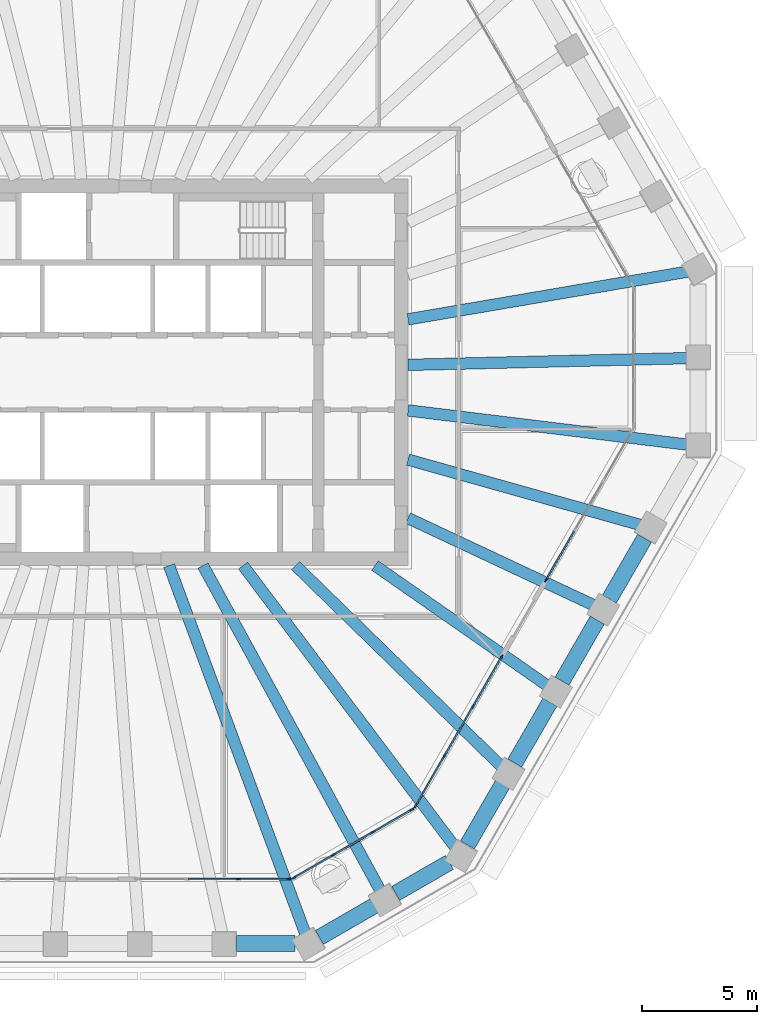
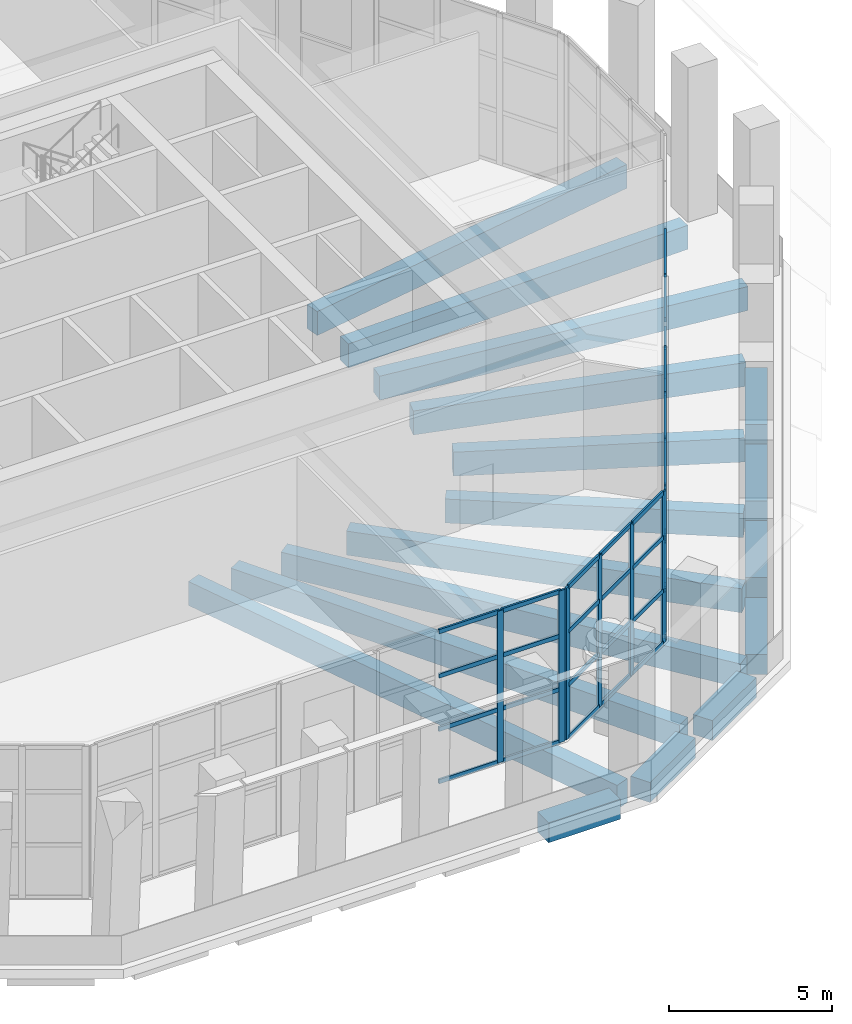
# One storey, part 4 of 19: 47 members, 17 beams, 4 elements without a shape of their own.
"""IFC4 building model written with IfcOpenShell, lengths in metres."""

import ifcopenshell
import ifcopenshell.guid

model = None  # the IFC model being written
_history = None  # IfcOwnerHistory: only IFC2X3 demands one
_inside = {}  # id of a spatial element -> (the spatial element, [elements in it])
_under = {}  # id of a project, library or spatial element -> (it, [spatial elements below it])
_declared = {}  # id of a project -> (the project, [libraries it declares])
_typed = {}  # id of a type object -> (the type object, [elements of that type])
_made_of = {}  # id of a material, layer set ... -> (it, [elements and type objects made of it])


def new_model(schema):
    """Start an empty IFC model of exactly this schema.

    Asked for "IFC4X3", IfcOpenShell would pick the latest addendum, in which some entities
    have other attributes; the version numbers below select the first issue.
    IFC2X3 requires an IfcOwnerHistory on every rooted entity: one is made here for all.
    """
    global model, _history
    if schema == "IFC4X3":
        model = ifcopenshell.file(schema_version=(4, 3, 0, 0))
    else:
        model = ifcopenshell.file(schema=schema)
    _inside.clear()
    _under.clear()
    _declared.clear()
    _typed.clear()
    _made_of.clear()
    _history = None
    if model.schema == "IFC2X3":
        org = make("IfcOrganization", Name="unknown")
        user = make(
            "IfcPersonAndOrganization",
            ThePerson=make("IfcPerson", FamilyName="unknown"),
            TheOrganization=org,
        )
        app = make(
            "IfcApplication",
            ApplicationDeveloper=org,
            Version="unknown",
            ApplicationFullName="unknown",
            ApplicationIdentifier="unknown",
        )
        _history = make(
            "IfcOwnerHistory",
            OwningUser=user,
            OwningApplication=app,
            ChangeAction="ADDED",
            CreationDate=0,
        )
    return model


def make(cls, **values):
    """One entity of the class cls with the attributes given. An attribute that is None is left unset."""
    return model.create_entity(
        cls, **{name: value for name, value in values.items() if value is not None}
    )


def rooted(cls, **values):
    """An entity with a GlobalId (a new one), such as an element, a storey or a relation."""
    return make(cls, GlobalId=ifcopenshell.guid.new(), OwnerHistory=_history, **values)


def si_unit(unit_type, name, prefix=None):
    """IfcSIUnit, for example si_unit("LENGTHUNIT", "METRE", prefix="MILLI")."""
    return make("IfcSIUnit", UnitType=unit_type, Prefix=prefix, Name=name)


def assignment(units):
    """IfcUnitAssignment: the units of a project."""
    return None if units is None else make("IfcUnitAssignment", Units=units)


def point(xyz):
    """IfcCartesianPoint."""
    return None if xyz is None else make("IfcCartesianPoint", Coordinates=xyz)


def direction(xyz):
    """IfcDirection."""
    return None if xyz is None else make("IfcDirection", DirectionRatios=xyz)


def frame(location, z_axis=None, x_axis=None):
    """IfcAxis2Placement3D, a coordinate frame: its origin and axes. An axis left out is left unset."""
    return make(
        "IfcAxis2Placement3D",
        Location=point(location),
        Axis=direction(z_axis),
        RefDirection=direction(x_axis),
    )


def frame_2d(location, x_axis=None):
    """IfcAxis2Placement2D, a coordinate frame in the plane: its origin and x axis."""
    return make(
        "IfcAxis2Placement2D", Location=point(location), RefDirection=direction(x_axis)
    )


def origin():
    """The frame at (0, 0, 0) with its axes left unset."""
    return frame((0.0, 0.0, 0.0))


def origin_2d():
    """The frame at (0, 0) in the plane with its x axis left unset."""
    return frame_2d((0.0, 0.0))


def place(relative_to, where):
    """IfcLocalPlacement: puts the frame where relative to a parent placement (None: the world)."""
    return make(
        "IfcLocalPlacement", PlacementRelTo=relative_to, RelativePlacement=where
    )


def context(
    kind, dimensions, precision=None, world=None, true_north=None, identifier=None
):
    """IfcGeometricRepresentationContext, for example the 3D "Model" context."""
    return make(
        "IfcGeometricRepresentationContext",
        ContextIdentifier=identifier,
        ContextType=kind,
        CoordinateSpaceDimension=dimensions,
        Precision=precision,
        WorldCoordinateSystem=world,
        TrueNorth=true_north,
    )


def subcontext(parent, identifier, kind, view, scale=None):
    """IfcGeometricRepresentationSubContext, for example "Body" below "Model"."""
    return make(
        "IfcGeometricRepresentationSubContext",
        ContextIdentifier=identifier,
        ContextType=kind,
        ParentContext=parent,
        TargetScale=scale,
        TargetView=view,
    )


def project(units=None, contexts=None):
    """IfcProject with its units and contexts."""
    return rooted(
        "IfcProject",
        Name="project",
        RepresentationContexts=contexts,
        UnitsInContext=assignment(units),
    )


def spatial(cls, under=None, at=None, **own):
    """A site, building, storey or space (cls), placed at a placement, below another one or the project."""
    s = rooted(cls, ObjectPlacement=at, **own)
    if under is not None:
        _under.setdefault(under.id(), (under, []))[1].append(s)
    return s


def profile(cls, at=None, kind="AREA", **sizes):
    """A parametric profile (cls). Its sizes go by their IFC names, for example OverallWidth=200.0."""
    return make(cls, ProfileType=kind, Position=at, **sizes)


def rectangle(**sizes):
    """IfcRectangleProfileDef."""
    return profile("IfcRectangleProfileDef", **sizes)


def extrude(swept, where, along, depth):
    """IfcExtrudedAreaSolid: the profile swept, set in the frame where, extruded along a direction by depth."""
    return make(
        "IfcExtrudedAreaSolid",
        SweptArea=swept,
        Position=where,
        ExtrudedDirection=direction(along),
        Depth=depth,
    )


def shape(context_of_items, identifier, shape_type, items):
    """IfcShapeRepresentation: the items that make up one representation, for example the "Body"."""
    return make(
        "IfcShapeRepresentation",
        ContextOfItems=context_of_items,
        RepresentationIdentifier=identifier,
        RepresentationType=shape_type,
        Items=items,
    )


def material(Name=None, Category=None):
    """IfcMaterial."""
    return make("IfcMaterial", Name=Name, Category=Category)


def material_profile(
    of_material, cross_section, Name=None, Category=None, Priority=None
):
    """IfcMaterialProfile: a cross section and its material."""
    return make(
        "IfcMaterialProfile",
        Name=Name,
        Material=of_material,
        Profile=cross_section,
        Priority=Priority,
        Category=Category,
    )


def profile_set(profiles, Name=None, composite=None):
    """IfcMaterialProfileSet."""
    return make(
        "IfcMaterialProfileSet",
        Name=Name,
        MaterialProfiles=profiles,
        CompositeProfile=composite,
    )


def made_of(thing, what):
    """Note that an element or type object is made of a material, layer set ...; save() writes the relation."""
    if what is not None:
        _made_of.setdefault(what.id(), (what, []))[1].append(thing)
    return thing


def type_object(cls, material=None, **own):
    """A type object (cls), such as IfcWallType, which elements share."""
    return made_of(rooted(cls, **own), material)


def element(
    cls,
    number,
    at=None,
    inside=None,
    cuts=None,
    type_object=None,
    material=None,
    context=None,
    identifier="Body",
    shape_type=None,
    held_by="IfcProductDefinitionShape",
    body=None,
    shapes=None,
    **own,
):
    """One element of the class cls, such as IfcWall. Its Tag is "e" and its number.

    at: its placement. inside: the storey or other place that contains it. cuts: it is an
    opening in that element (IfcRelVoidsElement). A single representation is given by context,
    identifier, shape_type and body (its items); several are given by shapes. held_by: the class
    of the entity that holds the representations. save() writes the other relations.
    """
    e = rooted(cls, Tag="e%d" % number, ObjectPlacement=at, **own)
    if body is not None:
        shapes = [shape(context, identifier, shape_type, body)]
    if shapes is not None:
        e.Representation = make(held_by, Representations=shapes)
    if inside is not None:
        _inside.setdefault(inside.id(), (inside, []))[1].append(e)
    if cuts is not None:
        rooted(
            "IfcRelVoidsElement", RelatingBuildingElement=cuts, RelatedOpeningElement=e
        )
    if type_object is not None:
        _typed.setdefault(type_object.id(), (type_object, []))[1].append(e)
    return made_of(e, material)


def aggregate(whole, parts):
    """IfcRelAggregates: a whole, such as a stair, and the parts it consists of."""
    return rooted("IfcRelAggregates", RelatingObject=whole, RelatedObjects=parts)


def save(model, path):
    """Write the relations noted so far, then the file.

    IfcRelAggregates (storeys below a building ...), IfcRelContainedInSpatialStructure (elements
    in a storey), IfcRelDefinesByType, IfcRelAssociatesMaterial and IfcRelDeclares: one each for
    every whole, place, type object, material and project.
    """
    for whole, parts in _under.values():
        aggregate(whole, parts)
    for where, things in _inside.values():
        rooted(
            "IfcRelContainedInSpatialStructure",
            RelatedElements=things,
            RelatingStructure=where,
        )
    for kind, things in _typed.values():
        rooted("IfcRelDefinesByType", RelatedObjects=things, RelatingType=kind)
    for what, things in _made_of.values():
        rooted("IfcRelAssociatesMaterial", RelatedObjects=things, RelatingMaterial=what)
    for by, libraries in _declared.values():
        rooted("IfcRelDeclares", RelatingContext=by, RelatedDefinitions=libraries)
    model.write(path)


model = new_model("IFC4")

# Units and contexts
model_context = context("Model", 3, precision=1e-05, world=origin(), true_north=direction((0.0, 1.0)))
body_context = subcontext(model_context, "Body", "Model", "MODEL_VIEW")
ifc_project = project(units=[si_unit("LENGTHUNIT", "METRE"), si_unit("AREAUNIT", "SQUARE_METRE"), si_unit("VOLUMEUNIT", "CUBIC_METRE"), si_unit("PLANEANGLEUNIT", "RADIAN"), si_unit("MASSUNIT", "GRAM", prefix="KILO")], contexts=[model_context])

# Site, building, storey
site_placement = place(None, origin())
site = spatial("IfcSite", under=ifc_project, at=site_placement, CompositionType="ELEMENT")
building_placement = place(site_placement, origin())
building = spatial("IfcBuilding", under=site, at=building_placement, Name="Frailejon Research Tower", CompositionType="ELEMENT")
storey_placement = place(building_placement, frame((0.0, 0.0, 231.39990234375)))
storey = spatial("IfcBuildingStorey", under=building, at=storey_placement, Name="L50", CompositionType="ELEMENT", Elevation=231.39990234375)

# Beams
ifc_material_1 = material(Name="Concrete C60/75", Category="concrete")
ifc_material_profile_1 = material_profile(ifc_material_1, rectangle(XDim=0.5, YDim=0.89990234375, at=origin_2d()), Name="Girder 500x900")
ifc_profile_set_1 = profile_set([ifc_material_profile_1], Name="Concrete C60/75")
beam_type_1 = type_object("IfcBeamType", Name="Girder 500x900", PredefinedType="BEAM", material=ifc_profile_set_1)
beam_1_placement = place(storey_placement, frame((25.72119140625, -3.152099609375, -0.75), z_axis=(-0.992573348436, 0.121647638592, 0.0), x_axis=(-0.121647638592, -0.992573348436, 0.0)))
element("IfcBeam", 1, at=beam_1_placement, inside=storey, type_object=beam_type_1, Name="Girder 500x900", PredefinedType="BEAM", context=body_context, shape_type="SweptSolid", body=[
    extrude(rectangle(XDim=0.5, YDim=0.89990234375, at=origin_2d()), origin(), (0.0, 0.0, 1.0), 12.312744140625),
])
beam_2_placement = place(storey_placement, frame((25.722412109375, 0.619384765625, -0.75), z_axis=(-0.999710451246, -0.024062702869, 0.0), x_axis=(0.024062702869, -0.999710451246, 0.0)))
element("IfcBeam", 2, at=beam_2_placement, inside=storey, type_object=beam_type_1, Name="Girder 500x900", PredefinedType="BEAM", context=body_context, shape_type="SweptSolid", body=[
    extrude(rectangle(XDim=0.5, YDim=0.89990234375, at=origin_2d()), origin(), (0.0, 0.0, 1.0), 12.225830078125),
])
beam_3_placement = place(storey_placement, frame((25.693359375, 4.38623046875, -0.75), z_axis=(-0.985739779447, -0.168276817227, 0.0), x_axis=(0.168276817227, -0.985739779447, 0.0)))
element("IfcBeam", 3, at=beam_3_placement, inside=storey, type_object=beam_type_1, Name="Girder 500x900", PredefinedType="BEAM", context=body_context, shape_type="SweptSolid", body=[
    extrude(rectangle(XDim=0.5, YDim=0.89990234375, at=origin_2d()), origin(), (0.0, 0.0, 1.0), 12.369873046875),
])
beam_4_placement = place(storey_placement, frame((9.0576171875, -24.4697265625, -0.75), z_axis=(-0.347132445428, 0.937816114881, 0.0), x_axis=(-0.937816114881, -0.347132445428, 0.0)))
element("IfcBeam", 4, at=beam_4_placement, inside=storey, type_object=beam_type_1, Name="Girder 500x900", PredefinedType="BEAM", context=body_context, shape_type="SweptSolid", body=[
    extrude(rectangle(XDim=0.5, YDim=0.89990234375, at=origin_2d()), origin(), (0.0, 0.0, 1.0), 17.13525390625),
])
beam_5_placement = place(storey_placement, frame((12.32470703125, -22.5859375, -0.75), z_axis=(-0.479001366684, 0.877814154998, 0.0), x_axis=(-0.877814154998, -0.479001366684, 0.0)))
element("IfcBeam", 5, at=beam_5_placement, inside=storey, type_object=beam_type_1, Name="Girder 500x900", PredefinedType="BEAM", context=body_context, shape_type="SweptSolid", body=[
    extrude(rectangle(XDim=0.5, YDim=0.89990234375, at=origin_2d()), origin(), (0.0, 0.0, 1.0), 16.16064453125),
])
beam_6_placement = place(storey_placement, frame((15.5654296875, -20.666015625, -0.75), z_axis=(-0.601621701933, 0.798781151357, 0.0), x_axis=(-0.798781151357, -0.601621701933, 0.0)))
element("IfcBeam", 6, at=beam_6_placement, inside=storey, type_object=beam_type_1, Name="Girder 500x900", PredefinedType="BEAM", context=body_context, shape_type="SweptSolid", body=[
    extrude(rectangle(XDim=0.5, YDim=0.89990234375, at=origin_2d()), origin(), (0.0, 0.0, 1.0), 15.35595703125),
])
beam_7_placement = place(storey_placement, frame((17.59375, -17.16748046875, -0.75), z_axis=(-0.71572694218, 0.698380228985, 0.0), x_axis=(-0.698380228985, -0.71572694218, 0.0)))
element("IfcBeam", 7, at=beam_7_placement, inside=storey, type_object=beam_type_1, Name="Girder 500x900", PredefinedType="BEAM", context=body_context, shape_type="SweptSolid", body=[
    extrude(rectangle(XDim=0.5, YDim=0.89990234375, at=origin_2d()), origin(), (0.0, 0.0, 1.0), 12.55419921875),
])
beam_8_placement = place(storey_placement, frame((19.62060546875, -13.6650390625, -0.75), z_axis=(-0.820584221604, 0.571525620821, 0.0), x_axis=(-0.571525620821, -0.820584221604, 0.0)))
element("IfcBeam", 8, at=beam_8_placement, inside=storey, type_object=beam_type_1, Name="Girder 500x900", PredefinedType="BEAM", context=body_context, shape_type="SweptSolid", body=[
    extrude(rectangle(XDim=0.5, YDim=0.89990234375, at=origin_2d()), origin(), (0.0, 0.0, 1.0), 9.21240234375),
])
beam_9_placement = place(storey_placement, frame((21.64453125, -10.159423828125, -0.75), z_axis=(-0.905245038295, 0.424889892375, 0.0), x_axis=(-0.424889892375, -0.905245038295, 0.0)))
element("IfcBeam", 9, at=beam_9_placement, inside=storey, type_object=beam_type_1, Name="Girder 500x900", PredefinedType="BEAM", context=body_context, shape_type="SweptSolid", body=[
    extrude(rectangle(XDim=0.5, YDim=0.89990234375, at=origin_2d()), origin(), (0.0, 0.0, 1.0), 8.9970703125),
])
beam_10_placement = place(storey_placement, frame((23.664306640625, -6.65283203125, -0.75), z_axis=(-0.962682761727, 0.270632408024, 0.0), x_axis=(-0.270632408024, -0.962682761727, 0.0)))
element("IfcBeam", 10, at=beam_10_placement, inside=storey, type_object=beam_type_1, Name="Girder 500x900", PredefinedType="BEAM", context=body_context, shape_type="SweptSolid", body=[
    extrude(rectangle(XDim=0.5, YDim=0.89990234375, at=origin_2d()), origin(), (0.0, 0.0, 1.0), 10.558349609375),
])

# Curtain wall, members
ifc_material_2 = material(Name="Aluminium curtain wall", Category="aluminium")
curtain_wall_type = type_object("IfcCurtainWallType", Name="Sky lobby curtain wall system", PredefinedType="NOTDEFINED", material=ifc_material_2)
curtain_wall_1_placement = place(storey_placement, origin())
curtain_wall_1 = element("IfcCurtainWall", 11, at=curtain_wall_1_placement, inside=storey, type_object=curtain_wall_type, Name="Curtain wall L50", PredefinedType="NOTDEFINED")
ifc_material_3 = material(Name="Aluminium extrusion", Category="aluminium")
ifc_material_profile_2 = material_profile(ifc_material_3, rectangle(XDim=0.070068359375, YDim=0.219970703125, at=origin_2d()), Name="Sky lobby curtain wall mullion 70x220")
ifc_profile_set_2 = profile_set([ifc_material_profile_2], Name="Aluminium extrusion")
member_type_1 = type_object("IfcMemberType", Name="Sky lobby curtain wall mullion 70x220", PredefinedType="MULLION", material=ifc_profile_set_2)
member_1_placement = place(storey_placement, frame((6.12255859375, -22.028564453125, 0.0), z_axis=(0.0, 0.0, 1.0), x_axis=(0.0, 1.0, 0.0)))
member_1 = element("IfcMember", 12, at=member_1_placement, type_object=member_type_1, Name="CW4-113 mullion 3", PredefinedType="MULLION", context=body_context, shape_type="SweptSolid", body=[
    extrude(rectangle(XDim=0.070068359375, YDim=0.219970703125, at=origin_2d()), origin(), (0.0, 0.0, 1.0), 5.7001953125),
])
member_2_placement = place(storey_placement, frame((8.304931640625, -22.028564453125, 0.0), z_axis=(0.0, 0.0, 1.0), x_axis=(0.0, 1.0, 0.0)))
member_2 = element("IfcMember", 13, at=member_2_placement, type_object=member_type_1, Name="CW4-113 mullion 4", PredefinedType="MULLION", context=body_context, shape_type="SweptSolid", body=[
    extrude(rectangle(XDim=0.070068359375, YDim=0.219970703125, at=origin_2d()), origin(), (0.0, 0.0, 1.0), 5.7001953125),
])

curtain_wall_2_placement = place(storey_placement, origin())
curtain_wall_2 = element("IfcCurtainWall", 14, at=curtain_wall_2_placement, inside=storey, type_object=curtain_wall_type, Name="Curtain wall L50", PredefinedType="NOTDEFINED")
member_3_placement = place(storey_placement, frame((8.556884765625, -21.9609375, 0.0), z_axis=(0.0, 0.0, 1.0), x_axis=(-0.499990981974, 0.866030610282, 0.0)))
member_3 = element("IfcMember", 15, at=member_3_placement, type_object=member_type_1, Name="CW4-114 mullion 1", PredefinedType="MULLION", context=body_context, shape_type="SweptSolid", body=[
    extrude(rectangle(XDim=0.070068359375, YDim=0.219970703125, at=origin_2d()), origin(), (0.0, 0.0, 1.0), 5.7001953125),
])
member_4_placement = place(storey_placement, frame((10.2451171875, -20.986328125, 0.0), z_axis=(0.0, 0.0, 1.0), x_axis=(-0.499990981974, 0.866030610282, 0.0)))
member_4 = element("IfcMember", 16, at=member_4_placement, type_object=member_type_1, Name="CW4-114 mullion 2", PredefinedType="MULLION", context=body_context, shape_type="SweptSolid", body=[
    extrude(rectangle(XDim=0.070068359375, YDim=0.219970703125, at=origin_2d()), origin(), (0.0, 0.0, 1.0), 5.7001953125),
])
member_5_placement = place(storey_placement, frame((11.963623046875, -19.994140625, 0.0), z_axis=(0.0, 0.0, 1.0), x_axis=(-0.499990981974, 0.866030610282, 0.0)))
member_5 = element("IfcMember", 17, at=member_5_placement, type_object=member_type_1, Name="CW4-114 mullion 3", PredefinedType="MULLION", context=body_context, shape_type="SweptSolid", body=[
    extrude(rectangle(XDim=0.070068359375, YDim=0.219970703125, at=origin_2d()), origin(), (0.0, 0.0, 1.0), 5.7001953125),
])
member_6_placement = place(storey_placement, frame((13.651611328125, -19.01953125, 0.0), z_axis=(0.0, 0.0, 1.0), x_axis=(-0.499990981974, 0.866030610282, 0.0)))
member_6 = element("IfcMember", 18, at=member_6_placement, type_object=member_type_1, Name="CW4-114 mullion 4", PredefinedType="MULLION", context=body_context, shape_type="SweptSolid", body=[
    extrude(rectangle(XDim=0.070068359375, YDim=0.219970703125, at=origin_2d()), origin(), (0.0, 0.0, 1.0), 5.7001953125),
])

curtain_wall_3_placement = place(storey_placement, origin())
curtain_wall_3 = element("IfcCurtainWall", 19, at=curtain_wall_3_placement, inside=storey, type_object=curtain_wall_type, Name="Curtain wall L50", PredefinedType="NOTDEFINED")
member_7_placement = place(storey_placement, frame((13.836181640625, -18.835205078125, 0.0), z_axis=(0.0, 0.0, 1.0), x_axis=(-0.866025100961, 0.500000524505, 0.0)))
member_7 = element("IfcMember", 20, at=member_7_placement, type_object=member_type_1, Name="CW4-115 mullion 1", PredefinedType="MULLION", context=body_context, shape_type="SweptSolid", body=[
    extrude(rectangle(XDim=0.070068359375, YDim=0.219970703125, at=origin_2d()), origin(), (0.0, 0.0, 1.0), 5.7001953125),
])
member_8_placement = place(storey_placement, frame((15.072509765625, -16.69384765625, 0.0), z_axis=(0.0, 0.0, 1.0), x_axis=(-0.866025100961, 0.500000524505, 0.0)))
member_8 = element("IfcMember", 21, at=member_8_placement, type_object=member_type_1, Name="CW4-115 mullion 2", PredefinedType="MULLION", context=body_context, shape_type="SweptSolid", body=[
    extrude(rectangle(XDim=0.070068359375, YDim=0.219970703125, at=origin_2d()), origin(), (0.0, 0.0, 1.0), 5.7001953125),
])
member_9_placement = place(storey_placement, frame((16.326171875, -14.522216796875, 0.0), z_axis=(0.0, 0.0, 1.0), x_axis=(-0.866025100961, 0.500000524505, 0.0)))
member_9 = element("IfcMember", 22, at=member_9_placement, type_object=member_type_1, Name="CW4-115 mullion 3", PredefinedType="MULLION", context=body_context, shape_type="SweptSolid", body=[
    extrude(rectangle(XDim=0.070068359375, YDim=0.219970703125, at=origin_2d()), origin(), (0.0, 0.0, 1.0), 5.7001953125),
])
member_10_placement = place(storey_placement, frame((17.5625, -12.380615234375, 0.0), z_axis=(0.0, 0.0, 1.0), x_axis=(-0.866025100961, 0.500000524505, 0.0)))
member_10 = element("IfcMember", 23, at=member_10_placement, type_object=member_type_1, Name="CW4-115 mullion 4", PredefinedType="MULLION", context=body_context, shape_type="SweptSolid", body=[
    extrude(rectangle(XDim=0.070068359375, YDim=0.219970703125, at=origin_2d()), origin(), (0.0, 0.0, 1.0), 5.7001953125),
])

# Curtain wall, member
curtain_wall_4_placement = place(storey_placement, origin())
curtain_wall_4 = element("IfcCurtainWall", 24, at=curtain_wall_4_placement, inside=storey, type_object=curtain_wall_type, Name="Curtain wall L50", PredefinedType="NOTDEFINED")
member_11_placement = place(storey_placement, frame((19.50341796875, -9.019287109375, 0.0), z_axis=(0.0, 0.0, 1.0), x_axis=(-0.866025100961, 0.500000524505, 0.0)))
member_11 = element("IfcMember", 25, at=member_11_placement, type_object=member_type_1, Name="CW4-116 mullion 1", PredefinedType="MULLION", context=body_context, shape_type="SweptSolid", body=[
    extrude(rectangle(XDim=0.070068359375, YDim=0.219970703125, at=origin_2d()), origin(), (0.0, 0.0, 1.0), 5.7001953125),
])

# Member
ifc_material_4 = material(Name="Aluminium extrusion", Category="aluminium")
ifc_material_profile_3 = material_profile(ifc_material_4, rectangle(XDim=0.070068359375, YDim=0.159912109375, at=origin_2d()), Name="Sky lobby curtain wall transom 70x160")
ifc_profile_set_3 = profile_set([ifc_material_profile_3], Name="Aluminium extrusion")
member_type_2 = type_object("IfcMemberType", Name="Sky lobby curtain wall transom 70x160", PredefinedType="USERDEFINED", material=ifc_profile_set_3)
member_12_placement = place(storey_placement, frame((3.9404296875, -22.028564453125, 0.03515625), z_axis=(1.0, 0.0, 0.0), x_axis=(0.0, 1.0, 0.0)))
member_12 = element("IfcMember", 26, at=member_12_placement, type_object=member_type_2, Name="CW4-113 transom 2.1", ObjectType="TRANSOM", PredefinedType="USERDEFINED", context=body_context, shape_type="SweptSolid", body=[
    extrude(rectangle(XDim=0.070068359375, YDim=0.159912109375, at=origin_2d()), origin(), (0.0, 0.0, 1.0), 2.147216796875),
])

member_13_placement = place(storey_placement, frame((3.9404296875, -22.028564453125, 2.0), z_axis=(1.0, 0.0, 0.0), x_axis=(0.0, 1.0, 0.0)))
member_13 = element("IfcMember", 27, at=member_13_placement, type_object=member_type_2, Name="CW4-113 transom 2.2", ObjectType="TRANSOM", PredefinedType="USERDEFINED", context=body_context, shape_type="SweptSolid", body=[
    extrude(rectangle(XDim=0.070068359375, YDim=0.159912109375, at=origin_2d()), origin(), (0.0, 0.0, 1.0), 2.147216796875),
])

member_14_placement = place(storey_placement, frame((3.9404296875, -22.028564453125, 4.0), z_axis=(1.0, 0.0, 0.0), x_axis=(0.0, 1.0, 0.0)))
member_14 = element("IfcMember", 28, at=member_14_placement, type_object=member_type_2, Name="CW4-113 transom 2.3", ObjectType="TRANSOM", PredefinedType="USERDEFINED", context=body_context, shape_type="SweptSolid", body=[
    extrude(rectangle(XDim=0.070068359375, YDim=0.159912109375, at=origin_2d()), origin(), (0.0, 0.0, 1.0), 2.147216796875),
])

member_15_placement = place(storey_placement, frame((3.9404296875, -22.028564453125, 5.6650390625), z_axis=(1.0, 0.0, 0.0), x_axis=(0.0, 1.0, 0.0)))
member_15 = element("IfcMember", 29, at=member_15_placement, type_object=member_type_2, Name="CW4-113 transom 2.4", ObjectType="TRANSOM", PredefinedType="USERDEFINED", context=body_context, shape_type="SweptSolid", body=[
    extrude(rectangle(XDim=0.070068359375, YDim=0.159912109375, at=origin_2d()), origin(), (0.0, 0.0, 1.0), 2.147216796875),
])

member_16_placement = place(storey_placement, frame((6.15771484375, -22.028564453125, 0.03515625), z_axis=(1.0, 0.0, 0.0), x_axis=(0.0, 1.0, 0.0)))
member_16 = element("IfcMember", 30, at=member_16_placement, type_object=member_type_2, Name="CW4-113 transom 3.1", ObjectType="TRANSOM", PredefinedType="USERDEFINED", context=body_context, shape_type="SweptSolid", body=[
    extrude(rectangle(XDim=0.070068359375, YDim=0.159912109375, at=origin_2d()), origin(), (0.0, 0.0, 1.0), 2.1123046875),
])

member_17_placement = place(storey_placement, frame((6.15771484375, -22.028564453125, 2.0), z_axis=(1.0, 0.0, 0.0), x_axis=(0.0, 1.0, 0.0)))
member_17 = element("IfcMember", 31, at=member_17_placement, type_object=member_type_2, Name="CW4-113 transom 3.2", ObjectType="TRANSOM", PredefinedType="USERDEFINED", context=body_context, shape_type="SweptSolid", body=[
    extrude(rectangle(XDim=0.070068359375, YDim=0.159912109375, at=origin_2d()), origin(), (0.0, 0.0, 1.0), 2.1123046875),
])

member_18_placement = place(storey_placement, frame((6.15771484375, -22.028564453125, 4.0), z_axis=(1.0, 0.0, 0.0), x_axis=(0.0, 1.0, 0.0)))
member_18 = element("IfcMember", 32, at=member_18_placement, type_object=member_type_2, Name="CW4-113 transom 3.3", ObjectType="TRANSOM", PredefinedType="USERDEFINED", context=body_context, shape_type="SweptSolid", body=[
    extrude(rectangle(XDim=0.070068359375, YDim=0.159912109375, at=origin_2d()), origin(), (0.0, 0.0, 1.0), 2.1123046875),
])

member_19_placement = place(storey_placement, frame((6.15771484375, -22.028564453125, 5.6650390625), z_axis=(1.0, 0.0, 0.0), x_axis=(0.0, 1.0, 0.0)))
member_19 = element("IfcMember", 33, at=member_19_placement, type_object=member_type_2, Name="CW4-113 transom 3.4", ObjectType="TRANSOM", PredefinedType="USERDEFINED", context=body_context, shape_type="SweptSolid", body=[
    extrude(rectangle(XDim=0.070068359375, YDim=0.159912109375, at=origin_2d()), origin(), (0.0, 0.0, 1.0), 2.1123046875),
])

aggregate(curtain_wall_1, [member_1, member_2, member_12, member_13, member_14, member_15, member_16, member_17, member_18, member_19])

member_20_placement = place(storey_placement, frame((8.587158203125, -21.943603515625, 0.03515625), z_axis=(0.866036329433, 0.499981075744, 0.0), x_axis=(-0.499981075744, 0.866036329433, 0.0)))
member_20 = element("IfcMember", 34, at=member_20_placement, type_object=member_type_2, Name="CW4-114 transom 1.1", ObjectType="TRANSOM", PredefinedType="USERDEFINED", context=body_context, shape_type="SweptSolid", body=[
    extrude(rectangle(XDim=0.070068359375, YDim=0.159912109375, at=origin_2d()), origin(), (0.0, 0.0, 1.0), 1.87939453125),
])

member_21_placement = place(storey_placement, frame((8.587158203125, -21.943603515625, 2.0), z_axis=(0.866036329433, 0.499981075744, 0.0), x_axis=(-0.499981075744, 0.866036329433, 0.0)))
member_21 = element("IfcMember", 35, at=member_21_placement, type_object=member_type_2, Name="CW4-114 transom 1.2", ObjectType="TRANSOM", PredefinedType="USERDEFINED", context=body_context, shape_type="SweptSolid", body=[
    extrude(rectangle(XDim=0.070068359375, YDim=0.159912109375, at=origin_2d()), origin(), (0.0, 0.0, 1.0), 1.87939453125),
])

member_22_placement = place(storey_placement, frame((8.587158203125, -21.943603515625, 4.0), z_axis=(0.866036329433, 0.499981075744, 0.0), x_axis=(-0.499981075744, 0.866036329433, 0.0)))
member_22 = element("IfcMember", 36, at=member_22_placement, type_object=member_type_2, Name="CW4-114 transom 1.3", ObjectType="TRANSOM", PredefinedType="USERDEFINED", context=body_context, shape_type="SweptSolid", body=[
    extrude(rectangle(XDim=0.070068359375, YDim=0.159912109375, at=origin_2d()), origin(), (0.0, 0.0, 1.0), 1.87939453125),
])

member_23_placement = place(storey_placement, frame((8.587158203125, -21.943603515625, 5.6650390625), z_axis=(0.866036329433, 0.499981075744, 0.0), x_axis=(-0.499981075744, 0.866036329433, 0.0)))
member_23 = element("IfcMember", 37, at=member_23_placement, type_object=member_type_2, Name="CW4-114 transom 1.4", ObjectType="TRANSOM", PredefinedType="USERDEFINED", context=body_context, shape_type="SweptSolid", body=[
    extrude(rectangle(XDim=0.070068359375, YDim=0.159912109375, at=origin_2d()), origin(), (0.0, 0.0, 1.0), 1.87939453125),
])

member_24_placement = place(storey_placement, frame((10.275390625, -20.96875, 0.03515625), z_axis=(0.866036909293, 0.499980071345, 0.0), x_axis=(-0.499980071345, 0.866036909293, 0.0)))
member_24 = element("IfcMember", 38, at=member_24_placement, type_object=member_type_2, Name="CW4-114 transom 2.1", ObjectType="TRANSOM", PredefinedType="USERDEFINED", context=body_context, shape_type="SweptSolid", body=[
    extrude(rectangle(XDim=0.070068359375, YDim=0.159912109375, at=origin_2d()), origin(), (0.0, 0.0, 1.0), 1.9140625),
])

member_25_placement = place(storey_placement, frame((10.275390625, -20.96875, 2.0), z_axis=(0.866036909293, 0.499980071345, 0.0), x_axis=(-0.499980071345, 0.866036909293, 0.0)))
member_25 = element("IfcMember", 39, at=member_25_placement, type_object=member_type_2, Name="CW4-114 transom 2.2", ObjectType="TRANSOM", PredefinedType="USERDEFINED", context=body_context, shape_type="SweptSolid", body=[
    extrude(rectangle(XDim=0.070068359375, YDim=0.159912109375, at=origin_2d()), origin(), (0.0, 0.0, 1.0), 1.9140625),
])

member_26_placement = place(storey_placement, frame((10.275390625, -20.96875, 4.0), z_axis=(0.866036909293, 0.499980071345, 0.0), x_axis=(-0.499980071345, 0.866036909293, 0.0)))
member_26 = element("IfcMember", 40, at=member_26_placement, type_object=member_type_2, Name="CW4-114 transom 2.3", ObjectType="TRANSOM", PredefinedType="USERDEFINED", context=body_context, shape_type="SweptSolid", body=[
    extrude(rectangle(XDim=0.070068359375, YDim=0.159912109375, at=origin_2d()), origin(), (0.0, 0.0, 1.0), 1.9140625),
])

member_27_placement = place(storey_placement, frame((10.275390625, -20.96875, 5.6650390625), z_axis=(0.866036909293, 0.499980071345, 0.0), x_axis=(-0.499980071345, 0.866036909293, 0.0)))
member_27 = element("IfcMember", 41, at=member_27_placement, type_object=member_type_2, Name="CW4-114 transom 2.4", ObjectType="TRANSOM", PredefinedType="USERDEFINED", context=body_context, shape_type="SweptSolid", body=[
    extrude(rectangle(XDim=0.070068359375, YDim=0.159912109375, at=origin_2d()), origin(), (0.0, 0.0, 1.0), 1.9140625),
])

member_28_placement = place(storey_placement, frame((11.993896484375, -19.976806640625, 0.03515625), z_axis=(0.866003851672, 0.500037327496, 0.0), x_axis=(-0.500037327496, 0.866003851672, 0.0)))
member_28 = element("IfcMember", 42, at=member_28_placement, type_object=member_type_2, Name="CW4-114 transom 3.1", ObjectType="TRANSOM", PredefinedType="USERDEFINED", context=body_context, shape_type="SweptSolid", body=[
    extrude(rectangle(XDim=0.070068359375, YDim=0.159912109375, at=origin_2d()), origin(), (0.0, 0.0, 1.0), 1.879150390625),
])

member_29_placement = place(storey_placement, frame((11.993896484375, -19.976806640625, 2.0), z_axis=(0.866003851672, 0.500037327496, 0.0), x_axis=(-0.500037327496, 0.866003851672, 0.0)))
member_29 = element("IfcMember", 43, at=member_29_placement, type_object=member_type_2, Name="CW4-114 transom 3.2", ObjectType="TRANSOM", PredefinedType="USERDEFINED", context=body_context, shape_type="SweptSolid", body=[
    extrude(rectangle(XDim=0.070068359375, YDim=0.159912109375, at=origin_2d()), origin(), (0.0, 0.0, 1.0), 1.879150390625),
])

member_30_placement = place(storey_placement, frame((11.993896484375, -19.976806640625, 4.0), z_axis=(0.866003851672, 0.500037327496, 0.0), x_axis=(-0.500037327496, 0.866003851672, 0.0)))
member_30 = element("IfcMember", 44, at=member_30_placement, type_object=member_type_2, Name="CW4-114 transom 3.3", ObjectType="TRANSOM", PredefinedType="USERDEFINED", context=body_context, shape_type="SweptSolid", body=[
    extrude(rectangle(XDim=0.070068359375, YDim=0.159912109375, at=origin_2d()), origin(), (0.0, 0.0, 1.0), 1.879150390625),
])

member_31_placement = place(storey_placement, frame((11.993896484375, -19.976806640625, 5.6650390625), z_axis=(0.866003851672, 0.500037327496, 0.0), x_axis=(-0.500037327496, 0.866003851672, 0.0)))
member_31 = element("IfcMember", 45, at=member_31_placement, type_object=member_type_2, Name="CW4-114 transom 3.4", ObjectType="TRANSOM", PredefinedType="USERDEFINED", context=body_context, shape_type="SweptSolid", body=[
    extrude(rectangle(XDim=0.070068359375, YDim=0.159912109375, at=origin_2d()), origin(), (0.0, 0.0, 1.0), 1.879150390625),
])

aggregate(curtain_wall_2, [member_3, member_4, member_5, member_6, member_20, member_21, member_22, member_23, member_24, member_25, member_26, member_27, member_28, member_29, member_30, member_31])

member_32_placement = place(storey_placement, frame((13.853515625, -18.804931640625, 0.03515625), z_axis=(0.500018568119, 0.86601468321, 0.0), x_axis=(-0.86601468321, 0.500018568119, 0.0)))
member_32 = element("IfcMember", 46, at=member_32_placement, type_object=member_type_2, Name="CW4-115 transom 1.1", ObjectType="TRANSOM", PredefinedType="USERDEFINED", context=body_context, shape_type="SweptSolid", body=[
    extrude(rectangle(XDim=0.070068359375, YDim=0.159912109375, at=origin_2d()), origin(), (0.0, 0.0, 1.0), 2.40283203125),
])

member_33_placement = place(storey_placement, frame((13.853515625, -18.804931640625, 2.0), z_axis=(0.500018568119, 0.86601468321, 0.0), x_axis=(-0.86601468321, 0.500018568119, 0.0)))
member_33 = element("IfcMember", 47, at=member_33_placement, type_object=member_type_2, Name="CW4-115 transom 1.2", ObjectType="TRANSOM", PredefinedType="USERDEFINED", context=body_context, shape_type="SweptSolid", body=[
    extrude(rectangle(XDim=0.070068359375, YDim=0.159912109375, at=origin_2d()), origin(), (0.0, 0.0, 1.0), 2.40283203125),
])

member_34_placement = place(storey_placement, frame((13.853515625, -18.804931640625, 4.0), z_axis=(0.500018568119, 0.86601468321, 0.0), x_axis=(-0.86601468321, 0.500018568119, 0.0)))
member_34 = element("IfcMember", 48, at=member_34_placement, type_object=member_type_2, Name="CW4-115 transom 1.3", ObjectType="TRANSOM", PredefinedType="USERDEFINED", context=body_context, shape_type="SweptSolid", body=[
    extrude(rectangle(XDim=0.070068359375, YDim=0.159912109375, at=origin_2d()), origin(), (0.0, 0.0, 1.0), 2.40283203125),
])

member_35_placement = place(storey_placement, frame((13.853515625, -18.804931640625, 5.6650390625), z_axis=(0.500018568119, 0.86601468321, 0.0), x_axis=(-0.86601468321, 0.500018568119, 0.0)))
member_35 = element("IfcMember", 49, at=member_35_placement, type_object=member_type_2, Name="CW4-115 transom 1.4", ObjectType="TRANSOM", PredefinedType="USERDEFINED", context=body_context, shape_type="SweptSolid", body=[
    extrude(rectangle(XDim=0.070068359375, YDim=0.159912109375, at=origin_2d()), origin(), (0.0, 0.0, 1.0), 2.40283203125),
])

member_36_placement = place(storey_placement, frame((15.08984375, -16.66357421875, 0.03515625), z_axis=(0.500048989253, 0.865997117979, 0.0), x_axis=(-0.865997117979, 0.500048989253, 0.0)))
member_36 = element("IfcMember", 50, at=member_36_placement, type_object=member_type_2, Name="CW4-115 transom 2.1", ObjectType="TRANSOM", PredefinedType="USERDEFINED", context=body_context, shape_type="SweptSolid", body=[
    extrude(rectangle(XDim=0.070068359375, YDim=0.159912109375, at=origin_2d()), origin(), (0.0, 0.0, 1.0), 2.437744140625),
])

member_37_placement = place(storey_placement, frame((15.08984375, -16.66357421875, 2.0), z_axis=(0.500048989253, 0.865997117979, 0.0), x_axis=(-0.865997117979, 0.500048989253, 0.0)))
member_37 = element("IfcMember", 51, at=member_37_placement, type_object=member_type_2, Name="CW4-115 transom 2.2", ObjectType="TRANSOM", PredefinedType="USERDEFINED", context=body_context, shape_type="SweptSolid", body=[
    extrude(rectangle(XDim=0.070068359375, YDim=0.159912109375, at=origin_2d()), origin(), (0.0, 0.0, 1.0), 2.437744140625),
])

member_38_placement = place(storey_placement, frame((15.08984375, -16.66357421875, 4.0), z_axis=(0.500048989253, 0.865997117979, 0.0), x_axis=(-0.865997117979, 0.500048989253, 0.0)))
member_38 = element("IfcMember", 52, at=member_38_placement, type_object=member_type_2, Name="CW4-115 transom 2.3", ObjectType="TRANSOM", PredefinedType="USERDEFINED", context=body_context, shape_type="SweptSolid", body=[
    extrude(rectangle(XDim=0.070068359375, YDim=0.159912109375, at=origin_2d()), origin(), (0.0, 0.0, 1.0), 2.437744140625),
])

member_39_placement = place(storey_placement, frame((15.08984375, -16.66357421875, 5.6650390625), z_axis=(0.500048989253, 0.865997117979, 0.0), x_axis=(-0.865997117979, 0.500048989253, 0.0)))
member_39 = element("IfcMember", 53, at=member_39_placement, type_object=member_type_2, Name="CW4-115 transom 2.4", ObjectType="TRANSOM", PredefinedType="USERDEFINED", context=body_context, shape_type="SweptSolid", body=[
    extrude(rectangle(XDim=0.070068359375, YDim=0.159912109375, at=origin_2d()), origin(), (0.0, 0.0, 1.0), 2.437744140625),
])

member_40_placement = place(storey_placement, frame((16.34375, -14.49169921875, 0.03515625), z_axis=(0.500062570482, 0.865989275686, 0.0), x_axis=(-0.865989275686, 0.500062570482, 0.0)))
member_40 = element("IfcMember", 54, at=member_40_placement, type_object=member_type_2, Name="CW4-115 transom 3.1", ObjectType="TRANSOM", PredefinedType="USERDEFINED", context=body_context, shape_type="SweptSolid", body=[
    extrude(rectangle(XDim=0.070068359375, YDim=0.159912109375, at=origin_2d()), origin(), (0.0, 0.0, 1.0), 2.402587890625),
])

member_41_placement = place(storey_placement, frame((16.34375, -14.49169921875, 2.0), z_axis=(0.500062570482, 0.865989275686, 0.0), x_axis=(-0.865989275686, 0.500062570482, 0.0)))
member_41 = element("IfcMember", 55, at=member_41_placement, type_object=member_type_2, Name="CW4-115 transom 3.2", ObjectType="TRANSOM", PredefinedType="USERDEFINED", context=body_context, shape_type="SweptSolid", body=[
    extrude(rectangle(XDim=0.070068359375, YDim=0.159912109375, at=origin_2d()), origin(), (0.0, 0.0, 1.0), 2.402587890625),
])

member_42_placement = place(storey_placement, frame((16.34375, -14.49169921875, 4.0), z_axis=(0.500062570482, 0.865989275686, 0.0), x_axis=(-0.865989275686, 0.500062570482, 0.0)))
member_42 = element("IfcMember", 56, at=member_42_placement, type_object=member_type_2, Name="CW4-115 transom 3.3", ObjectType="TRANSOM", PredefinedType="USERDEFINED", context=body_context, shape_type="SweptSolid", body=[
    extrude(rectangle(XDim=0.070068359375, YDim=0.159912109375, at=origin_2d()), origin(), (0.0, 0.0, 1.0), 2.402587890625),
])

member_43_placement = place(storey_placement, frame((16.34375, -14.49169921875, 5.6650390625), z_axis=(0.500062570482, 0.865989275686, 0.0), x_axis=(-0.865989275686, 0.500062570482, 0.0)))
member_43 = element("IfcMember", 57, at=member_43_placement, type_object=member_type_2, Name="CW4-115 transom 3.4", ObjectType="TRANSOM", PredefinedType="USERDEFINED", context=body_context, shape_type="SweptSolid", body=[
    extrude(rectangle(XDim=0.070068359375, YDim=0.159912109375, at=origin_2d()), origin(), (0.0, 0.0, 1.0), 2.402587890625),
])

aggregate(curtain_wall_3, [member_7, member_8, member_9, member_10, member_32, member_33, member_34, member_35, member_36, member_37, member_38, member_39, member_40, member_41, member_42, member_43])

member_44_placement = place(storey_placement, frame((19.520751953125, -8.989013671875, 0.03515625), z_axis=(0.500018568119, 0.86601468321, 0.0), x_axis=(-0.86601468321, 0.500018568119, 0.0)))
member_44 = element("IfcMember", 58, at=member_44_placement, type_object=member_type_2, Name="CW4-116 transom 1.1", ObjectType="TRANSOM", PredefinedType="USERDEFINED", context=body_context, shape_type="SweptSolid", body=[
    extrude(rectangle(XDim=0.070068359375, YDim=0.159912109375, at=origin_2d()), origin(), (0.0, 0.0, 1.0), 2.40283203125),
])

member_45_placement = place(storey_placement, frame((19.520751953125, -8.989013671875, 2.0), z_axis=(0.500018568119, 0.86601468321, 0.0), x_axis=(-0.86601468321, 0.500018568119, 0.0)))
member_45 = element("IfcMember", 59, at=member_45_placement, type_object=member_type_2, Name="CW4-116 transom 1.2", ObjectType="TRANSOM", PredefinedType="USERDEFINED", context=body_context, shape_type="SweptSolid", body=[
    extrude(rectangle(XDim=0.070068359375, YDim=0.159912109375, at=origin_2d()), origin(), (0.0, 0.0, 1.0), 2.40283203125),
])

member_46_placement = place(storey_placement, frame((19.520751953125, -8.989013671875, 4.0), z_axis=(0.500018568119, 0.86601468321, 0.0), x_axis=(-0.86601468321, 0.500018568119, 0.0)))
member_46 = element("IfcMember", 60, at=member_46_placement, type_object=member_type_2, Name="CW4-116 transom 1.3", ObjectType="TRANSOM", PredefinedType="USERDEFINED", context=body_context, shape_type="SweptSolid", body=[
    extrude(rectangle(XDim=0.070068359375, YDim=0.159912109375, at=origin_2d()), origin(), (0.0, 0.0, 1.0), 2.40283203125),
])

member_47_placement = place(storey_placement, frame((19.520751953125, -8.989013671875, 5.6650390625), z_axis=(0.500018568119, 0.86601468321, 0.0), x_axis=(-0.86601468321, 0.500018568119, 0.0)))
member_47 = element("IfcMember", 61, at=member_47_placement, type_object=member_type_2, Name="CW4-116 transom 1.4", ObjectType="TRANSOM", PredefinedType="USERDEFINED", context=body_context, shape_type="SweptSolid", body=[
    extrude(rectangle(XDim=0.070068359375, YDim=0.159912109375, at=origin_2d()), origin(), (0.0, 0.0, 1.0), 2.40283203125),
])

aggregate(curtain_wall_4, [member_11, member_44, member_45, member_46, member_47])

# Beams
ifc_material_5 = material(Name="Concrete C60/75", Category="concrete")
ifc_material_profile_4 = material_profile(ifc_material_5, rectangle(XDim=0.699951171875, YDim=0.75, at=origin_2d()), Name="Spandrel 700x750")
ifc_profile_set_4 = profile_set([ifc_material_profile_4], Name="Concrete C60/75")
beam_type_2 = type_object("IfcBeamType", Name="Spandrel 700x750", PredefinedType="BEAM", material=ifc_profile_set_4)
beam_11_placement = place(storey_placement, frame((6.039306640625, -24.82861328125, -0.724853515625), z_axis=(1.0, 0.0, 0.0), x_axis=(0.0, 1.0, 0.0)))
element("IfcBeam", 62, at=beam_11_placement, inside=storey, type_object=beam_type_2, Name="Spandrel 700x750", PredefinedType="BEAM", context=body_context, shape_type="SweptSolid", body=[
    extrude(rectangle(XDim=0.699951171875, YDim=0.75, at=origin_2d()), origin(), (0.0, 0.0, 1.0), 2.544677734375),
])
beam_12_placement = place(storey_placement, frame((9.64501953125, -24.56591796875, -0.724853515625), z_axis=(0.866037694333, 0.499978711542, 0.0), x_axis=(-0.499978711542, 0.866037694333, 0.0)))
element("IfcBeam", 63, at=beam_12_placement, inside=storey, type_object=beam_type_2, Name="Spandrel 700x750", PredefinedType="BEAM", context=body_context, shape_type="SweptSolid", body=[
    extrude(rectangle(XDim=0.699951171875, YDim=0.75, at=origin_2d()), origin(), (0.0, 0.0, 1.0), 2.7763671875),
])
beam_13_placement = place(storey_placement, frame((12.958984375, -22.652587890625, -0.724853515625), z_axis=(0.866049846835, 0.499957661005, 0.0), x_axis=(-0.499957661005, 0.866049846835, 0.0)))
element("IfcBeam", 64, at=beam_13_placement, inside=storey, type_object=beam_type_2, Name="Spandrel 700x750", PredefinedType="BEAM", context=body_context, shape_type="SweptSolid", body=[
    extrude(rectangle(XDim=0.699951171875, YDim=0.75, at=origin_2d()), origin(), (0.0, 0.0, 1.0), 2.695556640625),
])
beam_14_placement = place(storey_placement, frame((16.080810546875, -20.547119140625, -0.724853515625), z_axis=(0.499998569178, 0.866026229868, 0.0), x_axis=(-0.866026229868, 0.499998569178, 0.0)))
element("IfcBeam", 65, at=beam_14_placement, inside=storey, type_object=beam_type_2, Name="Spandrel 700x750", PredefinedType="BEAM", context=body_context, shape_type="SweptSolid", body=[
    extrude(rectangle(XDim=0.699951171875, YDim=0.75, at=origin_2d()), origin(), (0.0, 0.0, 1.0), 3.0615234375),
])
beam_15_placement = place(storey_placement, frame((18.13671875, -16.986328125, -0.724853515625), z_axis=(0.500033101519, 0.86600629177, 0.0), x_axis=(-0.86600629177, 0.500033101519, 0.0)))
element("IfcBeam", 66, at=beam_15_placement, inside=storey, type_object=beam_type_2, Name="Spandrel 700x750", PredefinedType="BEAM", context=body_context, shape_type="SweptSolid", body=[
    extrude(rectangle(XDim=0.699951171875, YDim=0.75, at=origin_2d()), origin(), (0.0, 0.0, 1.0), 3.061279296875),
])
for number, where, z_axis, x_axis, name in (
    (67, (20.1923828125, -13.42578125, -0.724853515625), (0.499998569178, 0.866026229868, 0.0), (-0.866026229868, 0.499998569178, 0.0), "Spandrel 700x750"),
    (68, (22.248291015625, -9.864990234375, -0.724853515625), (0.499998569178, 0.866026229868, 0.0), (-0.866026229868, 0.499998569178, 0.0), "Spandrel 700x750"),
):
    element("IfcBeam", number, at=place(storey_placement, frame(where, z_axis=z_axis, x_axis=x_axis)), inside=storey, type_object=beam_type_2, Name=name, PredefinedType="BEAM", context=body_context, shape_type="SweptSolid", body=[
        extrude(rectangle(XDim=0.699951171875, YDim=0.75, at=origin_2d()), origin(), (0.0, 0.0, 1.0), 3.0615234375),
    ])

save(model, "model.ifc")
